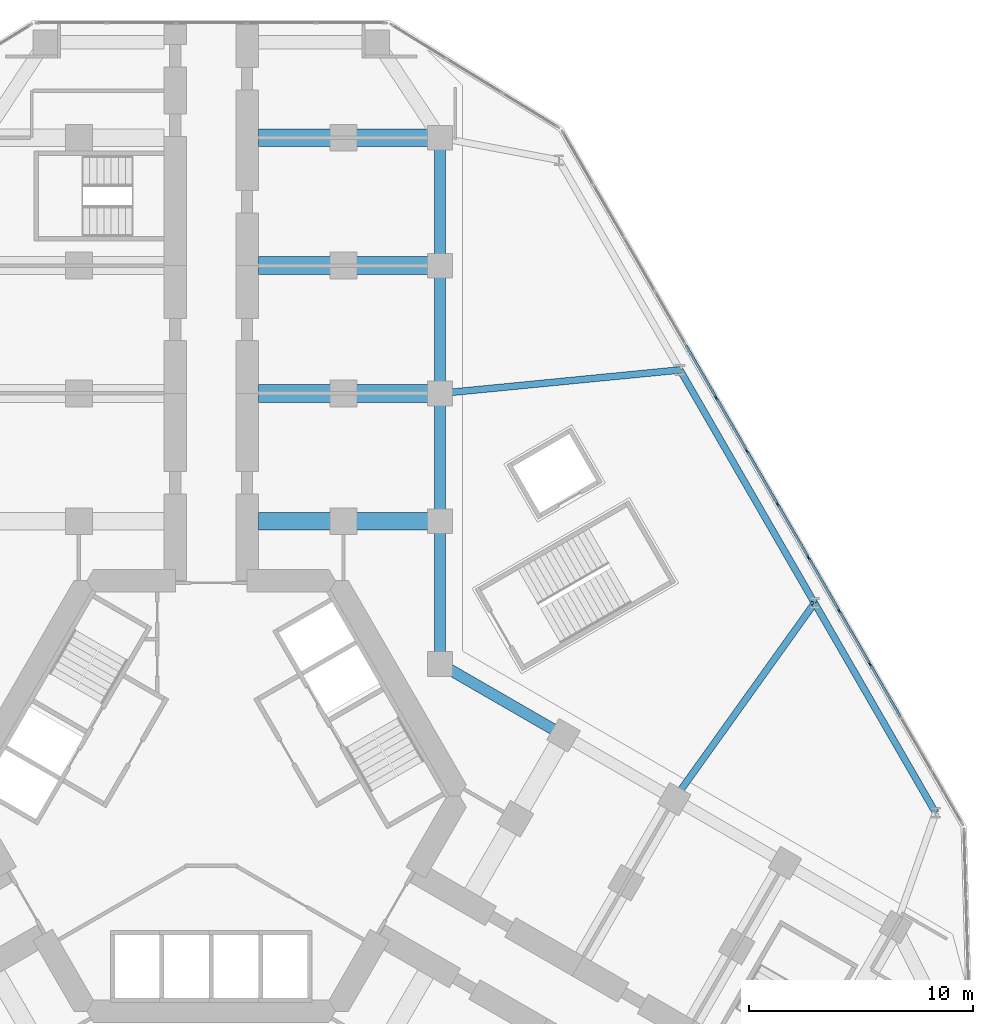
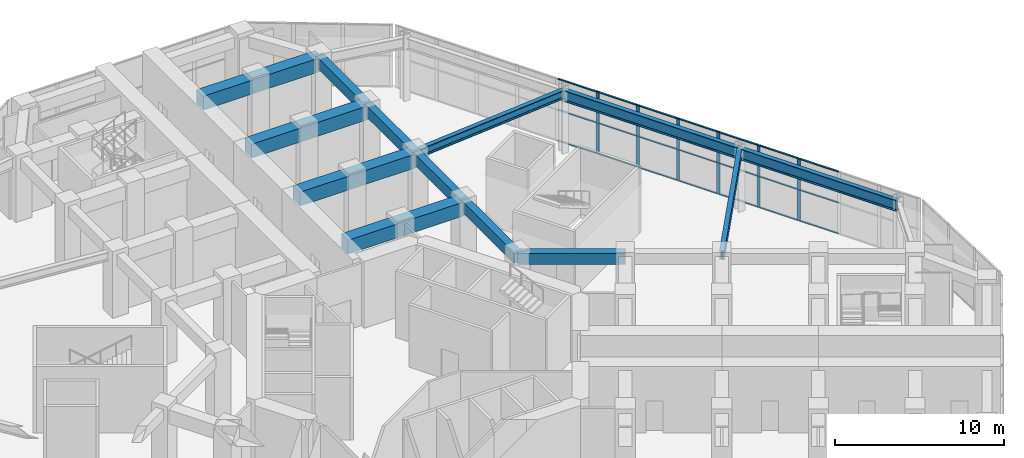
# One storey, part 9 of 21: 27 members, 13 beams, 1 element without a shape of its own.
"""IFC4 building model written with IfcOpenShell, lengths in metres."""

from ifc_helpers import new_model, si_unit, direction, frame, origin, origin_2d, place, context, subcontext, project, spatial, rectangle, i_section, extrude, material, material_profile, profile_set, type_object, element, aggregate, save


model = new_model("IFC4")

# Units and contexts
model_context = context("Model", 3, precision=1e-05, world=origin(), true_north=direction((0.0, 1.0)))
body_context = subcontext(model_context, "Body", "Model", "MODEL_VIEW")
ifc_project = project(units=[si_unit("LENGTHUNIT", "METRE"), si_unit("AREAUNIT", "SQUARE_METRE"), si_unit("VOLUMEUNIT", "CUBIC_METRE"), si_unit("PLANEANGLEUNIT", "RADIAN"), si_unit("MASSUNIT", "GRAM", prefix="KILO")], contexts=[model_context])

# Site, building, storey
site_placement = place(None, origin())
site = spatial("IfcSite", under=ifc_project, at=site_placement, CompositionType="ELEMENT")
building_placement = place(site_placement, origin())
building = spatial("IfcBuilding", under=site, at=building_placement, Name="Kosmar Iwan School Tower", CompositionType="ELEMENT")
storey_placement = place(building_placement, frame((0.0, 0.0, 6.0)))
storey = spatial("IfcBuildingStorey", under=building, at=storey_placement, Name="L01", CompositionType="ELEMENT", Elevation=6.0)

# Beams
ifc_material_1 = material(Name="Steel S355", Category="steel")
ifc_material_profile_1 = material_profile(ifc_material_1, i_section(OverallWidth=0.300048828125, OverallDepth=0.800048828125, WebThickness=0.017578125, FlangeThickness=0.032958984375, FilletRadius=0.030029296875, at=origin_2d()), Name="HE 800 B")
ifc_profile_set_1 = profile_set([ifc_material_profile_1], Name="Steel S355")
beam_type_1 = type_object("IfcBeamType", Name="Infill edge beam HE 800 B", PredefinedType="BEAM", material=ifc_profile_set_1)
beam_1_placement = place(storey_placement, frame((20.90234375, 18.99609375, 4.10009765625), z_axis=(0.49999894854, -0.866026010844, 0.0), x_axis=(0.866026010844, 0.49999894854, 0.0)))
element("IfcBeam", 1, at=beam_1_placement, inside=storey, type_object=beam_type_1, Name="Infill edge beam AC3", PredefinedType="BEAM", context=body_context, shape_type="SweptSolid", body=[
    extrude(i_section(OverallWidth=0.300048828125, OverallDepth=0.800048828125, WebThickness=0.017578125, FlangeThickness=0.032958984375, FilletRadius=0.030029296875, at=origin_2d()), origin(), (0.0, 0.0, 1.0), 12.0),
])
beam_2_placement = place(storey_placement, frame((26.90234375, 8.603759765625, 4.10009765625), z_axis=(0.499995103361, -0.866028230842, 0.0), x_axis=(0.866028230842, 0.499995103361, 0.0)))
element("IfcBeam", 2, at=beam_2_placement, inside=storey, type_object=beam_type_1, Name="Infill edge beam AC4", PredefinedType="BEAM", context=body_context, shape_type="SweptSolid", body=[
    extrude(i_section(OverallWidth=0.300048828125, OverallDepth=0.800048828125, WebThickness=0.017578125, FlangeThickness=0.032958984375, FilletRadius=0.030029296875, at=origin_2d()), origin(), (0.0, 0.0, 1.0), 10.7998046875),
])
ifc_material_2 = material(Name="Steel S355", Category="steel")
ifc_material_profile_2 = material_profile(ifc_material_2, i_section(OverallWidth=0.304931640625, OverallDepth=0.6201171875, WebThickness=0.02099609375, FlangeThickness=0.0400390625, FilletRadius=0.027099609375, at=origin_2d()), Name="HE 600 M")
ifc_profile_set_2 = profile_set([ifc_material_profile_2], Name="Steel S355")
beam_type_2 = type_object("IfcBeamType", Name="Infill girder HE 600 M", PredefinedType="BEAM", material=ifc_profile_set_2)
beam_3_placement = place(storey_placement, frame((20.90234375, 18.99609375, 4.18994140625), z_axis=(-0.995256582335, -0.09728481546, 0.0), x_axis=(0.09728481546, -0.995256582335, 0.0)))
element("IfcBeam", 3, at=beam_3_placement, inside=storey, type_object=beam_type_2, Name="Infill girder AC2", PredefinedType="BEAM", context=body_context, shape_type="SweptSolid", body=[
    extrude(i_section(OverallWidth=0.304931640625, OverallDepth=0.6201171875, WebThickness=0.02099609375, FlangeThickness=0.0400390625, FilletRadius=0.027099609375, at=origin_2d()), origin(), (0.0, 0.0, 1.0), 10.75341796875),
])
beam_4_placement = place(storey_placement, frame((26.90234375, 8.603759765625, 4.18994140625), z_axis=(-0.58187801822, -0.813276073614, 0.0), x_axis=(0.813276073614, -0.58187801822, 0.0)))
element("IfcBeam", 4, at=beam_4_placement, inside=storey, type_object=beam_type_2, Name="Infill girder AC3", PredefinedType="BEAM", context=body_context, shape_type="SweptSolid", body=[
    extrude(i_section(OverallWidth=0.304931640625, OverallDepth=0.6201171875, WebThickness=0.02099609375, FlangeThickness=0.0400390625, FilletRadius=0.027099609375, at=origin_2d()), origin(), (0.0, 0.0, 1.0), 10.753173828125),
])

# Curtain wall, members
ifc_material_3 = material(Name="Dark glass in black aluminium frame", Category="aluminium")
curtain_wall_type = type_object("IfcCurtainWallType", Name="Podium curtain wall", PredefinedType="USERDEFINED", material=ifc_material_3)
curtain_wall_placement = place(storey_placement, origin())
curtain_wall = element("IfcCurtainWall", 5, at=curtain_wall_placement, inside=storey, type_object=curtain_wall_type, Name="Curtain wall L01-F04", ObjectType="STICK CURTAIN WALL", PredefinedType="USERDEFINED")
ifc_material_4 = material(Name="Black anodised aluminium", Category="aluminium")
ifc_material_profile_3 = material_profile(ifc_material_4, rectangle(XDim=0.06494140625, YDim=0.219970703125, at=origin_2d()), Name="MULLION 65x220")
ifc_profile_set_3 = profile_set([ifc_material_profile_3], Name="Black anodised aluminium")
member_type_1 = type_object("IfcMemberType", Name="Podium mullion 65x220", PredefinedType="MULLION", material=ifc_profile_set_3)
member_1_placement = place(storey_placement, frame((29.370849609375, 5.87841796875, 0.0), z_axis=(0.0, 0.0, 1.0), x_axis=(-0.866025390869, -0.50000002237, 0.0)))
member_1 = element("IfcMember", 6, at=member_1_placement, type_object=member_type_1, Name="CW3 mullion 4", PredefinedType="MULLION", context=body_context, shape_type="SweptSolid", body=[
    extrude(rectangle(XDim=0.06494140625, YDim=0.219970703125, at=origin_2d()), origin(), (0.0, 0.0, 1.0), 4.5),
])
member_2_placement = place(storey_placement, frame((28.0, 8.25244140625, 0.0), z_axis=(0.0, 0.0, 1.0), x_axis=(-0.866025390869, -0.50000002237, 0.0)))
member_2 = element("IfcMember", 7, at=member_2_placement, type_object=member_type_1, Name="CW3 mullion 5", PredefinedType="MULLION", context=body_context, shape_type="SweptSolid", body=[
    extrude(rectangle(XDim=0.06494140625, YDim=0.219970703125, at=origin_2d()), origin(), (0.0, 0.0, 1.0), 4.5),
])
member_3_placement = place(storey_placement, frame((26.62939453125, 10.62646484375, 0.0), z_axis=(0.0, 0.0, 1.0), x_axis=(-0.866025390869, -0.50000002237, 0.0)))
member_3 = element("IfcMember", 8, at=member_3_placement, type_object=member_type_1, Name="CW3 mullion 6", PredefinedType="MULLION", context=body_context, shape_type="SweptSolid", body=[
    extrude(rectangle(XDim=0.06494140625, YDim=0.219970703125, at=origin_2d()), origin(), (0.0, 0.0, 1.0), 4.5),
])
member_4_placement = place(storey_placement, frame((25.2587890625, 13.00048828125, 0.0), z_axis=(0.0, 0.0, 1.0), x_axis=(-0.866025390869, -0.50000002237, 0.0)))
member_4 = element("IfcMember", 9, at=member_4_placement, type_object=member_type_1, Name="CW3 mullion 7", PredefinedType="MULLION", context=body_context, shape_type="SweptSolid", body=[
    extrude(rectangle(XDim=0.06494140625, YDim=0.219970703125, at=origin_2d()), origin(), (0.0, 0.0, 1.0), 4.5),
])
member_5_placement = place(storey_placement, frame((23.88818359375, 15.37451171875, 0.0), z_axis=(0.0, 0.0, 1.0), x_axis=(-0.866025390869, -0.50000002237, 0.0)))
member_5 = element("IfcMember", 10, at=member_5_placement, type_object=member_type_1, Name="CW3 mullion 8", PredefinedType="MULLION", context=body_context, shape_type="SweptSolid", body=[
    extrude(rectangle(XDim=0.06494140625, YDim=0.219970703125, at=origin_2d()), origin(), (0.0, 0.0, 1.0), 4.5),
])
member_6_placement = place(storey_placement, frame((22.517578125, 17.74853515625, 0.0), z_axis=(0.0, 0.0, 1.0), x_axis=(-0.866025390869, -0.50000002237, 0.0)))
member_6 = element("IfcMember", 11, at=member_6_placement, type_object=member_type_1, Name="CW3 mullion 9", PredefinedType="MULLION", context=body_context, shape_type="SweptSolid", body=[
    extrude(rectangle(XDim=0.06494140625, YDim=0.219970703125, at=origin_2d()), origin(), (0.0, 0.0, 1.0), 4.5),
])

# Beams
ifc_material_5 = material(Name="Concrete C50/60", Category="concrete")
ifc_material_profile_4 = material_profile(ifc_material_5, rectangle(XDim=0.5, YDim=0.800048828125, at=origin_2d()), Name="RC 500x800")
ifc_profile_set_4 = profile_set([ifc_material_profile_4], Name="Concrete C50/60")
beam_type_3 = type_object("IfcBeamType", Name="RC edge beam 500x800", PredefinedType="BEAM", material=ifc_profile_set_4)
beam_5_placement = place(storey_placement, frame((10.199951171875, 5.888916015625, 4.10009765625), z_axis=(0.0, 1.0, 0.0), x_axis=(-1.0, 0.0, 0.0)))
element("IfcBeam", 12, at=beam_5_placement, inside=storey, type_object=beam_type_3, Name="Edge beam AR1", PredefinedType="BEAM", context=body_context, shape_type="SweptSolid", body=[
    extrude(rectangle(XDim=0.5, YDim=0.800048828125, at=origin_2d()), origin(), (0.0, 0.0, 1.0), 6.361083984375),
])
for number, where, z_axis, x_axis, name in (
    (13, (10.199951171875, 12.25, 4.10009765625), (0.0, 1.0, 0.0), (-1.0, 0.0, 0.0), "Edge beam AR2"),
    (14, (10.199951171875, 17.949951171875, 4.10009765625), (0.0, 1.0, 0.0), (-1.0, 0.0, 0.0), "Edge beam AR3"),
):
    element("IfcBeam", number, at=place(storey_placement, frame(where, z_axis=z_axis, x_axis=x_axis)), inside=storey, type_object=beam_type_3, Name=name, PredefinedType="BEAM", context=body_context, shape_type="SweptSolid", body=[
        extrude(rectangle(XDim=0.5, YDim=0.800048828125, at=origin_2d()), origin(), (0.0, 0.0, 1.0), 5.699951171875),
    ])
beam_6_placement = place(storey_placement, frame((10.199951171875, 23.64990234375, 4.10009765625), z_axis=(0.0, 1.0, 0.0), x_axis=(-1.0, 0.0, 0.0)))
element("IfcBeam", 15, at=beam_6_placement, inside=storey, type_object=beam_type_3, Name="Edge beam AR4", PredefinedType="BEAM", context=body_context, shape_type="SweptSolid", body=[
    extrude(rectangle(XDim=0.5, YDim=0.800048828125, at=origin_2d()), origin(), (0.0, 0.0, 1.0), 5.7001953125),
])
beam_7_placement = place(storey_placement, frame((10.199951171875, 5.888916015625, 4.10009765625), z_axis=(0.866030912664, -0.49999045822, 0.0), x_axis=(0.49999045822, 0.866030912664, 0.0)))
element("IfcBeam", 16, at=beam_7_placement, inside=storey, type_object=beam_type_3, Name="Edge beam CL1", PredefinedType="BEAM", context=body_context, shape_type="SweptSolid", body=[
    extrude(rectangle(XDim=0.5, YDim=0.800048828125, at=origin_2d()), origin(), (0.0, 0.0, 1.0), 6.36083984375),
])
ifc_material_6 = material(Name="Concrete C50/60", Category="concrete")
ifc_material_profile_5 = material_profile(ifc_material_6, rectangle(XDim=0.800048828125, YDim=1.0, at=origin_2d()), Name="RC 800x1000")
ifc_profile_set_5 = profile_set([ifc_material_profile_5], Name="Concrete C50/60")
beam_type_4 = type_object("IfcBeamType", Name="RC transverse beam 800x1000", PredefinedType="BEAM", material=ifc_profile_set_5)
for number, where, z_axis, x_axis, name in (
    (17, (10.199951171875, 12.25, 4.0), (-1.0, 0.0, 0.0), (0.0, -1.0, 0.0), "Transverse beam AR1"),
    (18, (10.199951171875, 17.949951171875, 4.0), (-1.0, 0.0, 0.0), (0.0, -1.0, 0.0), "Transverse beam AR2"),
    (19, (10.199951171875, 23.64990234375, 4.0), (-1.0, 0.0, 0.0), (0.0, -1.0, 0.0), "Transverse beam AR3"),
    (20, (10.199951171875, 29.35009765625, 4.0), (-1.0, 0.0, 0.0), (0.0, -1.0, 0.0), "Transverse beam AR4"),
):
    element("IfcBeam", number, at=place(storey_placement, frame(where, z_axis=z_axis, x_axis=x_axis)), inside=storey, type_object=beam_type_4, Name=name, PredefinedType="BEAM", context=body_context, shape_type="SweptSolid", body=[
        extrude(rectangle(XDim=0.800048828125, YDim=1.0, at=origin_2d()), origin(), (0.0, 0.0, 1.0), 8.099853515625),
    ])

# Member
ifc_material_7 = material(Name="Black anodised aluminium", Category="aluminium")
ifc_material_profile_6 = material_profile(ifc_material_7, rectangle(XDim=0.1201171875, YDim=0.06005859375, at=origin_2d()), Name="TRANSOM 60x120")
ifc_profile_set_6 = profile_set([ifc_material_profile_6], Name="Black anodised aluminium")
member_type_2 = type_object("IfcMemberType", Name="Transom 60x120", PredefinedType="USERDEFINED", material=ifc_profile_set_6)
member_7_placement = place(storey_placement, frame((30.72509765625, 3.532470703125, 0.030029296875), z_axis=(-0.499975134057, 0.866039759667, 0.0), x_axis=(-0.866039759667, -0.499975134057, 0.0)))
member_7 = element("IfcMember", 21, at=member_7_placement, type_object=member_type_2, Name="CW3 transom 3.1", ObjectType="TRANSOM", PredefinedType="USERDEFINED", context=body_context, shape_type="SweptSolid", body=[
    extrude(rectangle(XDim=0.1201171875, YDim=0.06005859375, at=origin_2d()), origin(), (0.0, 0.0, 1.0), 2.676513671875),
])

member_8_placement = place(storey_placement, frame((30.72509765625, 3.532470703125, 2.25), z_axis=(-0.499975134057, 0.866039759667, 0.0), x_axis=(-0.866039759667, -0.499975134057, 0.0)))
member_8 = element("IfcMember", 22, at=member_8_placement, type_object=member_type_2, Name="CW3 transom 3.2", ObjectType="TRANSOM", PredefinedType="USERDEFINED", context=body_context, shape_type="SweptSolid", body=[
    extrude(rectangle(XDim=0.1201171875, YDim=0.06005859375, at=origin_2d()), origin(), (0.0, 0.0, 1.0), 2.676513671875),
])

member_9_placement = place(storey_placement, frame((30.72509765625, 3.532470703125, 4.469970703125), z_axis=(-0.499975134057, 0.866039759667, 0.0), x_axis=(-0.866039759667, -0.499975134057, 0.0)))
member_9 = element("IfcMember", 23, at=member_9_placement, type_object=member_type_2, Name="CW3 transom 3.3", ObjectType="TRANSOM", PredefinedType="USERDEFINED", context=body_context, shape_type="SweptSolid", body=[
    extrude(rectangle(XDim=0.1201171875, YDim=0.06005859375, at=origin_2d()), origin(), (0.0, 0.0, 1.0), 2.676513671875),
])

member_10_placement = place(storey_placement, frame((29.3544921875, 5.906494140625, 0.030029296875), z_axis=(-0.499975134057, 0.866039759667, 0.0), x_axis=(-0.866039759667, -0.499975134057, 0.0)))
member_10 = element("IfcMember", 24, at=member_10_placement, type_object=member_type_2, Name="CW3 transom 4.1", ObjectType="TRANSOM", PredefinedType="USERDEFINED", context=body_context, shape_type="SweptSolid", body=[
    extrude(rectangle(XDim=0.1201171875, YDim=0.06005859375, at=origin_2d()), origin(), (0.0, 0.0, 1.0), 2.676513671875),
])

member_11_placement = place(storey_placement, frame((29.3544921875, 5.906494140625, 2.25), z_axis=(-0.499975134057, 0.866039759667, 0.0), x_axis=(-0.866039759667, -0.499975134057, 0.0)))
member_11 = element("IfcMember", 25, at=member_11_placement, type_object=member_type_2, Name="CW3 transom 4.2", ObjectType="TRANSOM", PredefinedType="USERDEFINED", context=body_context, shape_type="SweptSolid", body=[
    extrude(rectangle(XDim=0.1201171875, YDim=0.06005859375, at=origin_2d()), origin(), (0.0, 0.0, 1.0), 2.676513671875),
])

member_12_placement = place(storey_placement, frame((29.3544921875, 5.906494140625, 4.469970703125), z_axis=(-0.499975134057, 0.866039759667, 0.0), x_axis=(-0.866039759667, -0.499975134057, 0.0)))
member_12 = element("IfcMember", 26, at=member_12_placement, type_object=member_type_2, Name="CW3 transom 4.3", ObjectType="TRANSOM", PredefinedType="USERDEFINED", context=body_context, shape_type="SweptSolid", body=[
    extrude(rectangle(XDim=0.1201171875, YDim=0.06005859375, at=origin_2d()), origin(), (0.0, 0.0, 1.0), 2.676513671875),
])

member_13_placement = place(storey_placement, frame((27.98388671875, 8.280517578125, 0.030029296875), z_axis=(-0.499975134057, 0.866039759667, 0.0), x_axis=(-0.866039759667, -0.499975134057, 0.0)))
member_13 = element("IfcMember", 27, at=member_13_placement, type_object=member_type_2, Name="CW3 transom 5.1", ObjectType="TRANSOM", PredefinedType="USERDEFINED", context=body_context, shape_type="SweptSolid", body=[
    extrude(rectangle(XDim=0.1201171875, YDim=0.06005859375, at=origin_2d()), origin(), (0.0, 0.0, 1.0), 2.676513671875),
])

member_14_placement = place(storey_placement, frame((27.98388671875, 8.280517578125, 2.25), z_axis=(-0.499975134057, 0.866039759667, 0.0), x_axis=(-0.866039759667, -0.499975134057, 0.0)))
member_14 = element("IfcMember", 28, at=member_14_placement, type_object=member_type_2, Name="CW3 transom 5.2", ObjectType="TRANSOM", PredefinedType="USERDEFINED", context=body_context, shape_type="SweptSolid", body=[
    extrude(rectangle(XDim=0.1201171875, YDim=0.06005859375, at=origin_2d()), origin(), (0.0, 0.0, 1.0), 2.676513671875),
])

member_15_placement = place(storey_placement, frame((27.98388671875, 8.280517578125, 4.469970703125), z_axis=(-0.499975134057, 0.866039759667, 0.0), x_axis=(-0.866039759667, -0.499975134057, 0.0)))
member_15 = element("IfcMember", 29, at=member_15_placement, type_object=member_type_2, Name="CW3 transom 5.3", ObjectType="TRANSOM", PredefinedType="USERDEFINED", context=body_context, shape_type="SweptSolid", body=[
    extrude(rectangle(XDim=0.1201171875, YDim=0.06005859375, at=origin_2d()), origin(), (0.0, 0.0, 1.0), 2.676513671875),
])

member_16_placement = place(storey_placement, frame((26.61328125, 10.654541015625, 0.030029296875), z_axis=(-0.499975134057, 0.866039759667, 0.0), x_axis=(-0.866039759667, -0.499975134057, 0.0)))
member_16 = element("IfcMember", 30, at=member_16_placement, type_object=member_type_2, Name="CW3 transom 6.1", ObjectType="TRANSOM", PredefinedType="USERDEFINED", context=body_context, shape_type="SweptSolid", body=[
    extrude(rectangle(XDim=0.1201171875, YDim=0.06005859375, at=origin_2d()), origin(), (0.0, 0.0, 1.0), 2.676513671875),
])

member_17_placement = place(storey_placement, frame((26.61328125, 10.654541015625, 2.25), z_axis=(-0.499975134057, 0.866039759667, 0.0), x_axis=(-0.866039759667, -0.499975134057, 0.0)))
member_17 = element("IfcMember", 31, at=member_17_placement, type_object=member_type_2, Name="CW3 transom 6.2", ObjectType="TRANSOM", PredefinedType="USERDEFINED", context=body_context, shape_type="SweptSolid", body=[
    extrude(rectangle(XDim=0.1201171875, YDim=0.06005859375, at=origin_2d()), origin(), (0.0, 0.0, 1.0), 2.676513671875),
])

member_18_placement = place(storey_placement, frame((26.61328125, 10.654541015625, 4.469970703125), z_axis=(-0.499975134057, 0.866039759667, 0.0), x_axis=(-0.866039759667, -0.499975134057, 0.0)))
member_18 = element("IfcMember", 32, at=member_18_placement, type_object=member_type_2, Name="CW3 transom 6.3", ObjectType="TRANSOM", PredefinedType="USERDEFINED", context=body_context, shape_type="SweptSolid", body=[
    extrude(rectangle(XDim=0.1201171875, YDim=0.06005859375, at=origin_2d()), origin(), (0.0, 0.0, 1.0), 2.676513671875),
])

member_19_placement = place(storey_placement, frame((25.242431640625, 13.028564453125, 0.030029296875), z_axis=(-0.499975134057, 0.866039759667, 0.0), x_axis=(-0.866039759667, -0.499975134057, 0.0)))
member_19 = element("IfcMember", 33, at=member_19_placement, type_object=member_type_2, Name="CW3 transom 7.1", ObjectType="TRANSOM", PredefinedType="USERDEFINED", context=body_context, shape_type="SweptSolid", body=[
    extrude(rectangle(XDim=0.1201171875, YDim=0.06005859375, at=origin_2d()), origin(), (0.0, 0.0, 1.0), 2.676513671875),
])

member_20_placement = place(storey_placement, frame((25.242431640625, 13.028564453125, 2.25), z_axis=(-0.499975134057, 0.866039759667, 0.0), x_axis=(-0.866039759667, -0.499975134057, 0.0)))
member_20 = element("IfcMember", 34, at=member_20_placement, type_object=member_type_2, Name="CW3 transom 7.2", ObjectType="TRANSOM", PredefinedType="USERDEFINED", context=body_context, shape_type="SweptSolid", body=[
    extrude(rectangle(XDim=0.1201171875, YDim=0.06005859375, at=origin_2d()), origin(), (0.0, 0.0, 1.0), 2.676513671875),
])

member_21_placement = place(storey_placement, frame((25.242431640625, 13.028564453125, 4.469970703125), z_axis=(-0.499975134057, 0.866039759667, 0.0), x_axis=(-0.866039759667, -0.499975134057, 0.0)))
member_21 = element("IfcMember", 35, at=member_21_placement, type_object=member_type_2, Name="CW3 transom 7.3", ObjectType="TRANSOM", PredefinedType="USERDEFINED", context=body_context, shape_type="SweptSolid", body=[
    extrude(rectangle(XDim=0.1201171875, YDim=0.06005859375, at=origin_2d()), origin(), (0.0, 0.0, 1.0), 2.676513671875),
])

member_22_placement = place(storey_placement, frame((23.871826171875, 15.402587890625, 0.030029296875), z_axis=(-0.499975134057, 0.866039759667, 0.0), x_axis=(-0.866039759667, -0.499975134057, 0.0)))
member_22 = element("IfcMember", 36, at=member_22_placement, type_object=member_type_2, Name="CW3 transom 8.1", ObjectType="TRANSOM", PredefinedType="USERDEFINED", context=body_context, shape_type="SweptSolid", body=[
    extrude(rectangle(XDim=0.1201171875, YDim=0.06005859375, at=origin_2d()), origin(), (0.0, 0.0, 1.0), 2.676513671875),
])

member_23_placement = place(storey_placement, frame((23.871826171875, 15.402587890625, 2.25), z_axis=(-0.499975134057, 0.866039759667, 0.0), x_axis=(-0.866039759667, -0.499975134057, 0.0)))
member_23 = element("IfcMember", 37, at=member_23_placement, type_object=member_type_2, Name="CW3 transom 8.2", ObjectType="TRANSOM", PredefinedType="USERDEFINED", context=body_context, shape_type="SweptSolid", body=[
    extrude(rectangle(XDim=0.1201171875, YDim=0.06005859375, at=origin_2d()), origin(), (0.0, 0.0, 1.0), 2.676513671875),
])

member_24_placement = place(storey_placement, frame((23.871826171875, 15.402587890625, 4.469970703125), z_axis=(-0.499975134057, 0.866039759667, 0.0), x_axis=(-0.866039759667, -0.499975134057, 0.0)))
member_24 = element("IfcMember", 38, at=member_24_placement, type_object=member_type_2, Name="CW3 transom 8.3", ObjectType="TRANSOM", PredefinedType="USERDEFINED", context=body_context, shape_type="SweptSolid", body=[
    extrude(rectangle(XDim=0.1201171875, YDim=0.06005859375, at=origin_2d()), origin(), (0.0, 0.0, 1.0), 2.676513671875),
])

member_25_placement = place(storey_placement, frame((22.501220703125, 17.776611328125, 0.030029296875), z_axis=(-0.499975134057, 0.866039759667, 0.0), x_axis=(-0.866039759667, -0.499975134057, 0.0)))
member_25 = element("IfcMember", 39, at=member_25_placement, type_object=member_type_2, Name="CW3 transom 9.1", ObjectType="TRANSOM", PredefinedType="USERDEFINED", context=body_context, shape_type="SweptSolid", body=[
    extrude(rectangle(XDim=0.1201171875, YDim=0.06005859375, at=origin_2d()), origin(), (0.0, 0.0, 1.0), 2.676513671875),
])

member_26_placement = place(storey_placement, frame((22.501220703125, 17.776611328125, 2.25), z_axis=(-0.499975134057, 0.866039759667, 0.0), x_axis=(-0.866039759667, -0.499975134057, 0.0)))
member_26 = element("IfcMember", 40, at=member_26_placement, type_object=member_type_2, Name="CW3 transom 9.2", ObjectType="TRANSOM", PredefinedType="USERDEFINED", context=body_context, shape_type="SweptSolid", body=[
    extrude(rectangle(XDim=0.1201171875, YDim=0.06005859375, at=origin_2d()), origin(), (0.0, 0.0, 1.0), 2.676513671875),
])

member_27_placement = place(storey_placement, frame((22.501220703125, 17.776611328125, 4.469970703125), z_axis=(-0.499975134057, 0.866039759667, 0.0), x_axis=(-0.866039759667, -0.499975134057, 0.0)))
member_27 = element("IfcMember", 41, at=member_27_placement, type_object=member_type_2, Name="CW3 transom 9.3", ObjectType="TRANSOM", PredefinedType="USERDEFINED", context=body_context, shape_type="SweptSolid", body=[
    extrude(rectangle(XDim=0.1201171875, YDim=0.06005859375, at=origin_2d()), origin(), (0.0, 0.0, 1.0), 2.676513671875),
])

aggregate(curtain_wall, [member_1, member_2, member_3, member_4, member_5, member_6, member_7, member_8, member_9, member_10, member_11, member_12, member_13, member_14, member_15, member_16, member_17, member_18, member_19, member_20, member_21, member_22, member_23, member_24, member_25, member_26, member_27])

save(model, "model.ifc")
